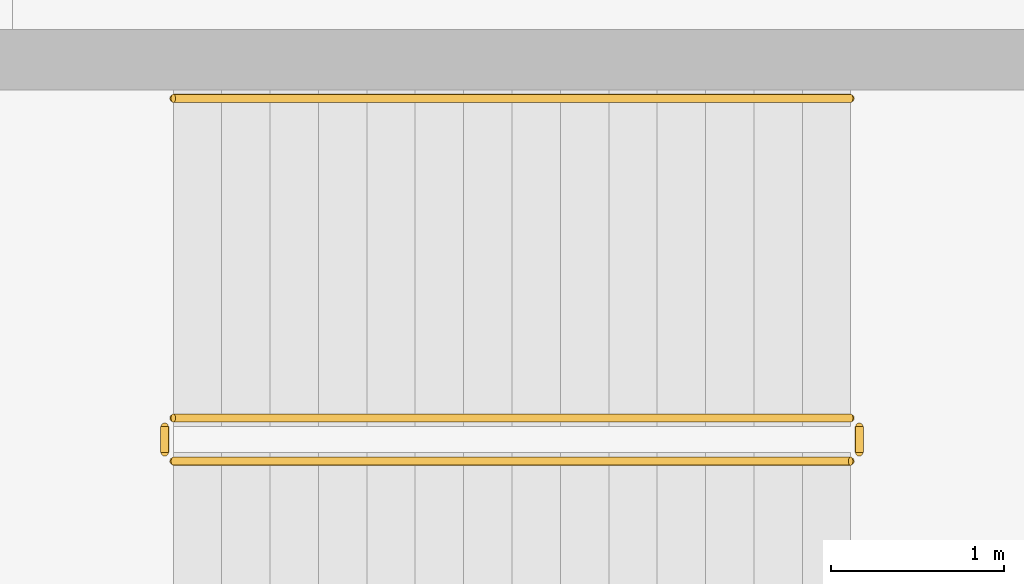
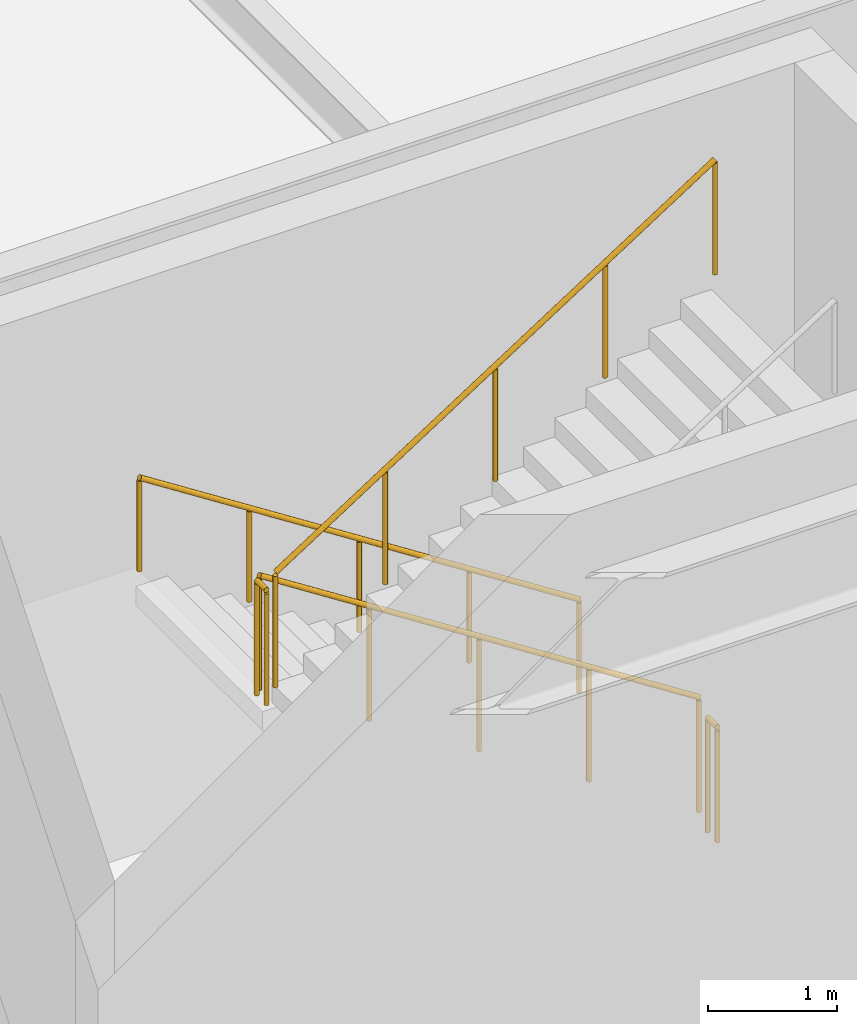
# One storey, part 56 of 65: 5 railings.
"""IFC4 building model written with IfcOpenShell, lengths in metres."""

from ifc_helpers import new_model, si_unit, direction, frame, origin, origin_2d, place, context, subcontext, project, spatial, circle, extrude, material, type_object, element, save


model = new_model("IFC4")

# Units and contexts
model_context = context("Model", 3, precision=1e-05, world=origin(), true_north=direction((0.0, 1.0)))
body_context = subcontext(model_context, "Body", "Model", "MODEL_VIEW")
ifc_project = project(units=[si_unit("LENGTHUNIT", "METRE"), si_unit("AREAUNIT", "SQUARE_METRE"), si_unit("VOLUMEUNIT", "CUBIC_METRE"), si_unit("PLANEANGLEUNIT", "RADIAN"), si_unit("MASSUNIT", "GRAM", prefix="KILO")], contexts=[model_context])

# Site, building, storey
site_placement = place(None, origin())
site = spatial("IfcSite", under=ifc_project, at=site_placement, CompositionType="ELEMENT")
building_placement = place(site_placement, origin())
building = spatial("IfcBuilding", under=site, at=building_placement, Name="Kaldris Quays Convention Centre", CompositionType="ELEMENT")
storey_placement = place(building_placement, frame((0.0, 0.0, -5.39990234375)))
storey = spatial("IfcBuildingStorey", under=building, at=storey_placement, Name="B1", CompositionType="ELEMENT", Elevation=-5.39990234375)

# Railings
ifc_material_1 = material(Name="Steel S355J2", Category="steel")
railing_type_1 = type_object("IfcRailingType", Name="INTERIOR GUARDRAIL GR01", PredefinedType="GUARDRAIL", material=ifc_material_1)
railing_1_placement = place(storey_placement, frame((27.0, 58.949951171875, 0.179931640625)))
element("IfcRailing", 1, at=railing_1_placement, inside=storey, type_object=railing_type_1, Name="B1 ST01 Stair Guardrail 1", PredefinedType="GUARDRAIL", context=body_context, shape_type="SweptSolid", body=[
    extrude(circle(Radius=0.02392578125, at=origin_2d()), frame((0.0, 0.0, 1.076171875), z_axis=(-0.841171666519, 0.0, 0.540768182723), x_axis=(0.0, -1.0, 0.0)), (0.0, 0.0, 1.0), 4.66015625),
    extrude(circle(Radius=0.02099609375, at=origin_2d()), origin(), (0.0, 0.0, 1.0), 1.052001953125),
    extrude(circle(Radius=0.02099609375, at=origin_2d()), frame((-0.97998046875, 0.0, 0.6298828125)), (0.0, 0.0, 1.0), 1.052001953125),
    extrude(circle(Radius=0.02099609375, at=origin_2d()), frame((-1.9599609375, 0.0, 1.260009765625)), (0.0, 0.0, 1.0), 1.052001953125),
    extrude(circle(Radius=0.02099609375, at=origin_2d()), frame((-2.93994140625, 0.0, 1.89013671875)), (0.0, 0.0, 1.0), 1.052001953125),
    extrude(circle(Radius=0.02099609375, at=origin_2d()), frame((-3.919921875, 0.0, 2.52001953125)), (0.0, 0.0, 1.0), 1.052001953125),
])
railing_2_placement = place(storey_placement, frame((23.030029296875, 58.89990234375, 2.699951171875)))
element("IfcRailing", 2, at=railing_2_placement, inside=storey, type_object=railing_type_1, Name="B1 ST01 Stair Guardrail 2", PredefinedType="GUARDRAIL", context=body_context, shape_type="SweptSolid", body=[
    extrude(circle(Radius=0.02392578125, at=origin_2d()), frame((0.0, 0.0, 1.076171875), z_axis=(0.0, -1.0, 0.0), x_axis=(1.0, 0.0, 0.0)), (0.0, 0.0, 1.0), 0.14990234375),
    extrude(circle(Radius=0.02099609375, at=origin_2d()), origin(), (0.0, 0.0, 1.0), 1.052001953125),
    extrude(circle(Radius=0.02099609375, at=origin_2d()), frame((0.0, -0.14990234375, 0.0)), (0.0, 0.0, 1.0), 1.052001953125),
])
railing_3_placement = place(storey_placement, frame((23.080078125, 58.699951171875, 2.8798828125)))
element("IfcRailing", 3, at=railing_3_placement, inside=storey, type_object=railing_type_1, Name="B1 ST01 Stair Guardrail 3", PredefinedType="GUARDRAIL", context=body_context, shape_type="SweptSolid", body=[
    extrude(circle(Radius=0.02392578125, at=origin_2d()), frame((0.0, 0.0, 1.076171875), z_axis=(0.841171666519, 0.0, 0.540768182723), x_axis=(0.0, 1.0, 0.0)), (0.0, 0.0, 1.0), 4.66015625),
    extrude(circle(Radius=0.02099609375, at=origin_2d()), origin(), (0.0, 0.0, 1.0), 1.052001953125),
    extrude(circle(Radius=0.02099609375, at=origin_2d()), frame((0.97998046875, 0.0, 0.6298828125)), (0.0, 0.0, 1.0), 1.052001953125),
    extrude(circle(Radius=0.02099609375, at=origin_2d()), frame((1.9599609375, 0.0, 1.260009765625)), (0.0, 0.0, 1.0), 1.052001953125),
    extrude(circle(Radius=0.02099609375, at=origin_2d()), frame((2.93994140625, 0.0, 1.89013671875)), (0.0, 0.0, 1.0), 1.052001953125),
    extrude(circle(Radius=0.02099609375, at=origin_2d()), frame((3.919921875, 0.0, 2.52001953125)), (0.0, 0.0, 1.0), 1.052001953125),
])
railing_4_placement = place(storey_placement, frame((27.050048828125, 58.89990234375, 0.0)))
element("IfcRailing", 4, at=railing_4_placement, inside=storey, type_object=railing_type_1, Name="B1 ST01 Stair Guardrail 4", PredefinedType="GUARDRAIL", context=body_context, shape_type="SweptSolid", body=[
    extrude(circle(Radius=0.02392578125, at=origin_2d()), frame((0.0, 0.0, 1.076171875), z_axis=(0.0, -1.0, 0.0), x_axis=(1.0, 0.0, 0.0)), (0.0, 0.0, 1.0), 0.14990234375),
    extrude(circle(Radius=0.02099609375, at=origin_2d()), origin(), (0.0, 0.0, 1.0), 1.052001953125),
    extrude(circle(Radius=0.02099609375, at=origin_2d()), frame((0.0, -0.14990234375, 0.0)), (0.0, 0.0, 1.0), 1.052001953125),
])
ifc_material_2 = material(Name="Stainless steel 1.4301", Category="steel")
railing_type_2 = type_object("IfcRailingType", Name="STAIR HANDRAIL HR01", PredefinedType="HANDRAIL", material=ifc_material_2)
railing_5_placement = place(storey_placement, frame((27.0, 60.800048828125, 0.179931640625)))
element("IfcRailing", 5, at=railing_5_placement, inside=storey, type_object=railing_type_2, Name="B1 ST01 Flight Handrail 1", PredefinedType="HANDRAIL", context=body_context, shape_type="SweptSolid", body=[
    extrude(circle(Radius=0.02392578125, at=origin_2d()), frame((0.0, 0.0, 0.8759765625), z_axis=(-0.841171666519, 0.0, 0.540768182723), x_axis=(0.0, -1.0, 0.0)), (0.0, 0.0, 1.0), 4.66015625),
    extrude(circle(Radius=0.02099609375, at=origin_2d()), origin(), (0.0, 0.0, 1.0), 0.851806640625),
    extrude(circle(Radius=0.02099609375, at=origin_2d()), frame((-0.97998046875, 0.0, 0.6298828125)), (0.0, 0.0, 1.0), 0.851806640625),
    extrude(circle(Radius=0.02099609375, at=origin_2d()), frame((-1.9599609375, 0.0, 1.260009765625)), (0.0, 0.0, 1.0), 0.851806640625),
    extrude(circle(Radius=0.02099609375, at=origin_2d()), frame((-2.93994140625, 0.0, 1.89013671875)), (0.0, 0.0, 1.0), 0.851806640625),
    extrude(circle(Radius=0.02099609375, at=origin_2d()), frame((-3.919921875, 0.0, 2.52001953125)), (0.0, 0.0, 1.0), 0.851806640625),
])

save(model, "model.ifc")
